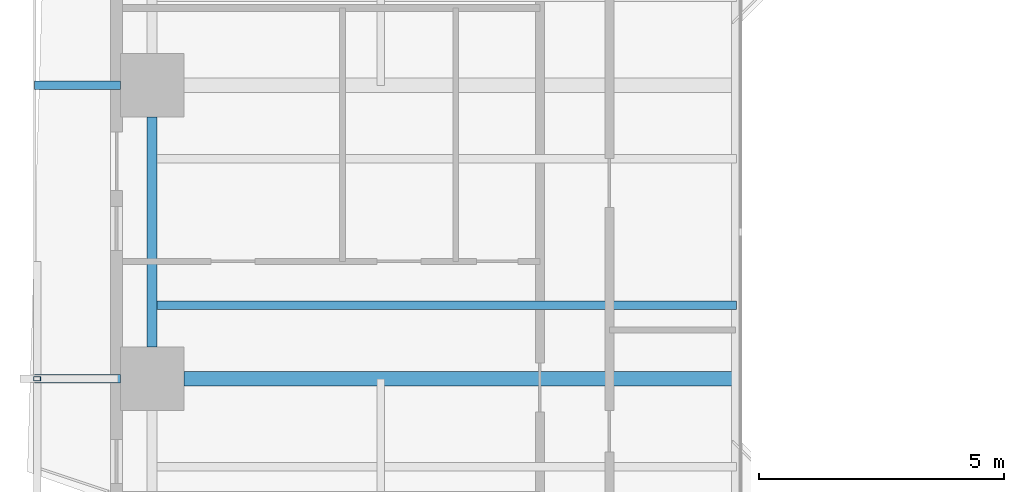
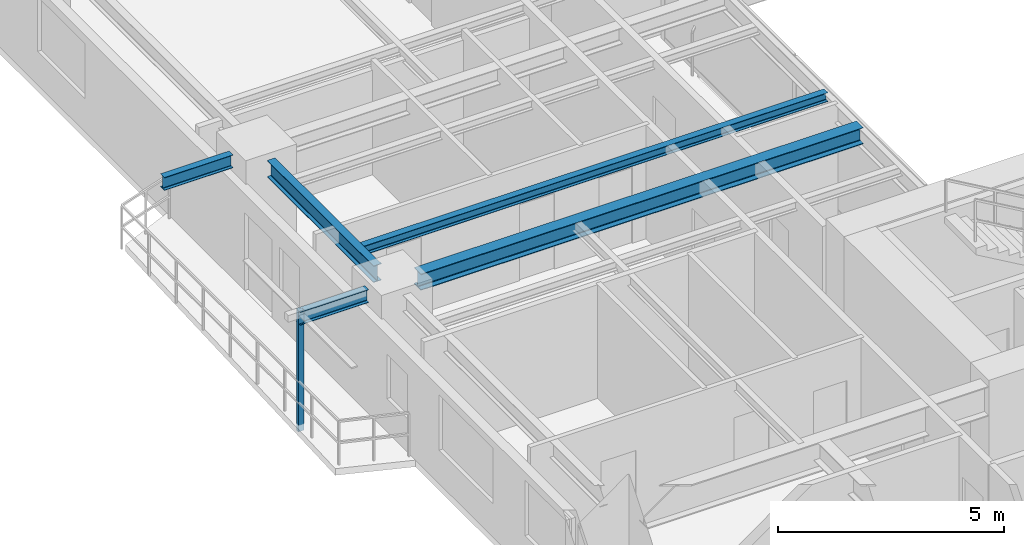
# One storey, part 3 of 24: 5 beams, 1 member.
"""IFC4 building model written with IfcOpenShell, lengths in metres."""

from ifc_helpers import new_model, si_unit, direction, frame, origin, origin_2d, place, context, subcontext, project, spatial, hollow_rectangle, i_section, extrude, source, transform, mapped, material, material_profile, profile_set, type_object, element, save


model = new_model("IFC4")

# Units and contexts
model_context = context("Model", 3, precision=1e-05, world=origin(), true_north=direction((0.0, 1.0)))
body_context = subcontext(model_context, "Body", "Model", "MODEL_VIEW")
ifc_project = project(units=[si_unit("LENGTHUNIT", "METRE"), si_unit("AREAUNIT", "SQUARE_METRE"), si_unit("VOLUMEUNIT", "CUBIC_METRE"), si_unit("PLANEANGLEUNIT", "RADIAN"), si_unit("MASSUNIT", "GRAM", prefix="KILO"), si_unit("THERMODYNAMICTEMPERATUREUNIT", "KELVIN"), si_unit("POWERUNIT", "WATT")], contexts=[model_context])

# Site, building, storey
site_placement = place(None, origin())
site = spatial("IfcSite", under=ifc_project, at=site_placement, CompositionType="ELEMENT")
building_placement = place(site_placement, origin())
building = spatial("IfcBuilding", under=site, at=building_placement, Name="Qiaomeng Ring Towers", CompositionType="ELEMENT")
storey_placement = place(building_placement, frame((0.0, 0.0, 69.75)))
storey = spatial("IfcBuildingStorey", under=building, at=storey_placement, Name="L19", CompositionType="ELEMENT", Elevation=69.75)

# Beams
ifc_material_1 = material(Name="Steel Q355B", Category="steel")
ifc_material_profile_1 = material_profile(ifc_material_1, i_section(OverallWidth=0.199951171875, OverallDepth=0.449951171875, WebThickness=0.009033203125, FlangeThickness=0.013916015625, FilletRadius=0.01806640625, at=origin_2d()), Name="HN 450x200x9x14")
ifc_profile_set_1 = profile_set([ifc_material_profile_1], Name="Steel Q355B")
beam_type_1 = type_object("IfcBeamType", Name="STR-BM-HN450", PredefinedType="SPANDREL", material=ifc_profile_set_1)
shared_shape_1 = source(origin(), body_context, "Body", "SweptSolid", [
    extrude(i_section(OverallWidth=0.199951171875, OverallDepth=0.449951171875, WebThickness=0.009033203125, FlangeThickness=0.013916015625, FilletRadius=0.01806640625, at=origin_2d()), origin(), (0.0, 0.0, 1.0), 4.7021484375),
])
beam_1_placement = place(storey_placement, frame((0.85009765625, 25.35107421875, 2.844970703125), z_axis=(0.0, -1.0, 0.0), x_axis=(1.0, 0.0, 0.0)))
element("IfcBeam", 1, at=beam_1_placement, inside=storey, type_object=beam_type_1, Name="L19 beam STR-SP-L19-T1-W3-W2", PredefinedType="SPANDREL", context=body_context, shape_type="MappedRepresentation", body=[
    mapped(shared_shape_1, transform((0.0, 0.0, 0.0), x_axis=(1.0, 0.0, 0.0), y_axis=(0.0, 1.0, 0.0), z_axis=(0.0, 0.0, 1.0), scale=1.0)),
])
ifc_material_profile_2 = material_profile(ifc_material_1, i_section(OverallWidth=0.300048828125, OverallDepth=0.43994140625, WebThickness=0.010986328125, FlangeThickness=0.01806640625, FilletRadius=0.02392578125, at=origin_2d()), Name="HM 440x300x11x18")
ifc_profile_set_2 = profile_set([ifc_material_profile_2], Name="Steel Q355B")
beam_type_2 = type_object("IfcBeamType", Name="STR-BM-HM440", PredefinedType="BEAM", material=ifc_profile_set_2)
shared_shape_2 = source(origin(), body_context, "Body", "SweptSolid", [
    extrude(i_section(OverallWidth=0.300048828125, OverallDepth=0.43994140625, WebThickness=0.010986328125, FlangeThickness=0.01806640625, FilletRadius=0.02392578125, at=origin_2d()), origin(), (0.0, 0.0, 1.0), 11.301025390625),
])
beam_2_placement = place(storey_placement, frame((1.4990234375, 20.0, 2.85009765625), z_axis=(1.0, 0.0, 0.0), x_axis=(0.0, 1.0, 0.0)))
element("IfcBeam", 2, at=beam_2_placement, inside=storey, type_object=beam_type_2, Name="L19 beam STR-BM-L19-T1-RAD-W2", PredefinedType="BEAM", context=body_context, shape_type="MappedRepresentation", body=[
    mapped(shared_shape_2, transform((0.0, 0.0, 0.0), x_axis=(1.0, 0.0, 0.0), y_axis=(0.0, 1.0, 0.0), z_axis=(0.0, 0.0, 1.0), scale=1.0)),
])
ifc_material_profile_3 = material_profile(ifc_material_1, i_section(OverallWidth=0.175048828125, OverallDepth=0.35009765625, WebThickness=0.007080078125, FlangeThickness=0.010986328125, FilletRadius=0.013916015625, at=origin_2d()), Name="HN 350x175x7x11")
ifc_profile_set_3 = profile_set([ifc_material_profile_3], Name="Steel Q355B")
beam_type_3 = type_object("IfcBeamType", Name="STR-BM-HN350", PredefinedType="JOIST", material=ifc_profile_set_3)
shared_shape_3 = source(origin(), body_context, "Body", "SweptSolid", [
    extrude(i_section(OverallWidth=0.175048828125, OverallDepth=0.35009765625, WebThickness=0.007080078125, FlangeThickness=0.010986328125, FilletRadius=0.013916015625, at=origin_2d()), origin(), (0.0, 0.0, 1.0), 1.7509765625),
])
for number, where, z_axis, x_axis, name in (
    (3, (-1.550048828125, 20.0, 2.89501953125), (1.0, 0.0, 0.0), (0.0, 1.0, 0.0), "L19 beam STR-BALBM-L19-W2"),
    (4, (-1.550048828125, 26.0, 2.89501953125), (1.0, 0.0, 0.0), (0.0, 1.0, 0.0), "L19 beam STR-BALBM-L19-W3"),
):
    element("IfcBeam", number, at=place(storey_placement, frame(where, z_axis=z_axis, x_axis=x_axis)), inside=storey, type_object=beam_type_3, Name=name, PredefinedType="JOIST", context=body_context, shape_type="MappedRepresentation", body=[
        mapped(shared_shape_3, transform((0.0, 0.0, 0.0), x_axis=(1.0, 0.0, 0.0), y_axis=(0.0, 1.0, 0.0), z_axis=(0.0, 0.0, 1.0), scale=1.0)),
    ])
ifc_material_profile_4 = material_profile(ifc_material_1, i_section(OverallWidth=0.175048828125, OverallDepth=0.243896484375, WebThickness=0.007080078125, FlangeThickness=0.010986328125, FilletRadius=0.01611328125, at=origin_2d()), Name="HM 244x175x7x11")
ifc_profile_set_4 = profile_set([ifc_material_profile_4], Name="Steel Q355B")
beam_type_4 = type_object("IfcBeamType", Name="STR-BM-HM244", PredefinedType="JOIST", material=ifc_profile_set_4)
shared_shape_4 = source(origin(), body_context, "Body", "SweptSolid", [
    extrude(i_section(OverallWidth=0.175048828125, OverallDepth=0.243896484375, WebThickness=0.007080078125, FlangeThickness=0.010986328125, FilletRadius=0.01611328125, at=origin_2d()), origin(), (0.0, 0.0, 1.0), 11.949951171875),
])
beam_3_placement = place(storey_placement, frame((0.85009765625, 21.5, 2.947998046875), z_axis=(1.0, 0.0, 0.0), x_axis=(0.0, 1.0, 0.0)))
element("IfcBeam", 5, at=beam_3_placement, inside=storey, type_object=beam_type_4, Name="L19 beam STR-JST-L19-T1W-2", PredefinedType="JOIST", context=body_context, shape_type="MappedRepresentation", body=[
    mapped(shared_shape_4, transform((0.0, 0.0, 0.0), x_axis=(1.0, 0.0, 0.0), y_axis=(0.0, 1.0, 0.0), z_axis=(0.0, 0.0, 1.0), scale=1.0)),
])

# Member
ifc_material_2 = material(Name="Stainless steel 316", Category="steel")
ifc_material_profile_5 = material_profile(ifc_material_2, hollow_rectangle(XDim=0.090087890625, YDim=0.139892578125, WallThickness=0.0048828125, at=origin_2d()), Name="SS TRELLIS 90x140")
ifc_profile_set_5 = profile_set([ifc_material_profile_5], Name="Stainless steel 316")
member_type = type_object("IfcMemberType", Name="ARC-TR-POST1", PredefinedType="STUD", material=ifc_profile_set_5)
shared_shape_5 = source(origin(), body_context, "Body", "SweptSolid", [
    extrude(hollow_rectangle(XDim=0.090087890625, YDim=0.139892578125, WallThickness=0.0048828125, at=origin_2d()), origin(), (0.0, 0.0, 1.0), 3.25),
])
member_placement = place(storey_placement, frame((-1.5, 20.0, -0.179931640625), z_axis=(0.0, 0.0, 1.0), x_axis=(0.0, 1.0, 0.0)))
element("IfcMember", 6, at=member_placement, inside=storey, type_object=member_type, Name="L19 Outer Ventilated Trellis Post W", PredefinedType="STUD", context=body_context, shape_type="MappedRepresentation", body=[
    mapped(shared_shape_5, transform((0.0, 0.0, 0.0), x_axis=(1.0, 0.0, 0.0), y_axis=(0.0, 1.0, 0.0), z_axis=(0.0, 0.0, 1.0), scale=1.0)),
])

save(model, "model.ifc")
